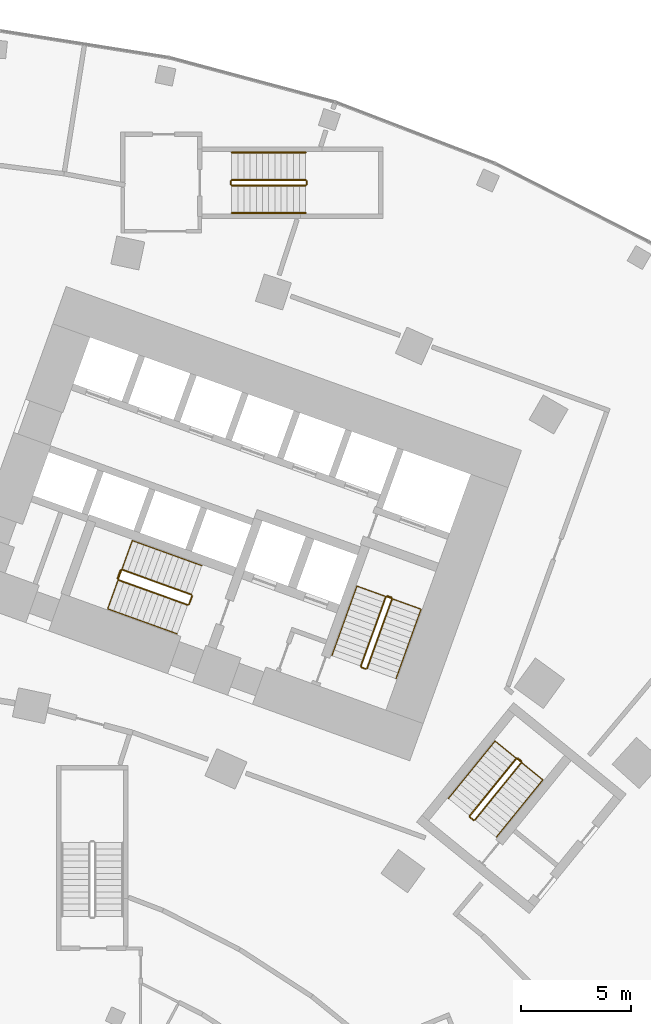
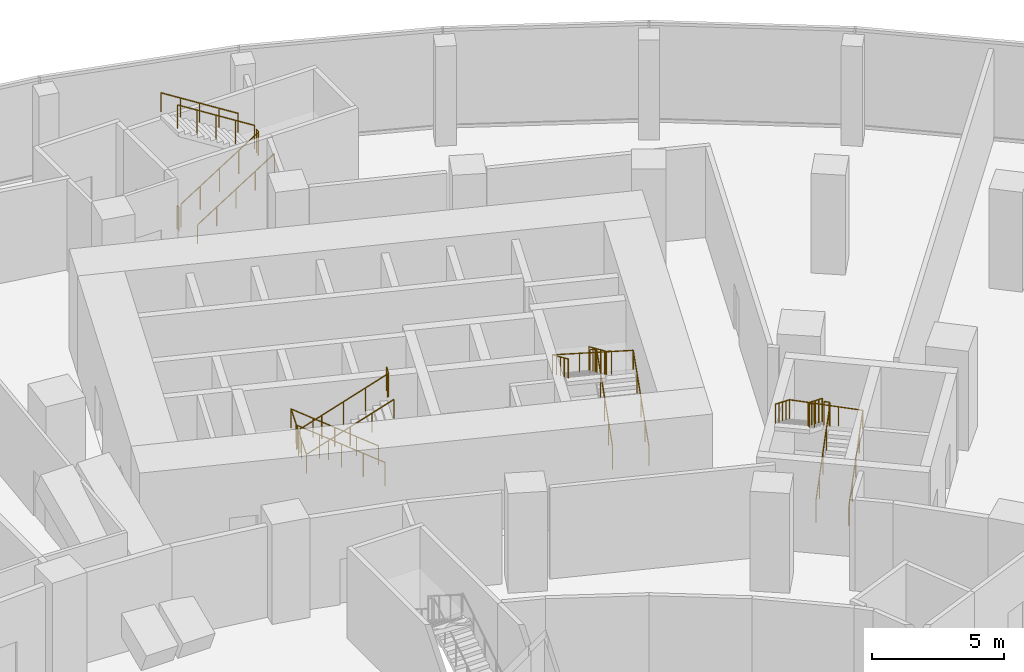
# One storey, part 38 of 40: 15 railings.
"""IFC4 building model written with IfcOpenShell, lengths in metres."""

from ifc_helpers import new_model, si_unit, direction, frame, origin, origin_2d, place, context, subcontext, project, spatial, circle, extrude, material, type_object, element, save


model = new_model("IFC4")

# Units and contexts
model_context = context("Model", 3, precision=1e-05, world=origin(), true_north=direction((0.0, 1.0)))
body_context = subcontext(model_context, "Body", "Model", "MODEL_VIEW")
ifc_project = project(units=[si_unit("LENGTHUNIT", "METRE"), si_unit("AREAUNIT", "SQUARE_METRE"), si_unit("VOLUMEUNIT", "CUBIC_METRE"), si_unit("PLANEANGLEUNIT", "RADIAN"), si_unit("MASSUNIT", "GRAM", prefix="KILO")], contexts=[model_context])

# Site, building, storey
site_placement = place(None, origin())
site = spatial("IfcSite", under=ifc_project, at=site_placement, CompositionType="ELEMENT")
building_placement = place(site_placement, origin())
building = spatial("IfcBuilding", under=site, at=building_placement, Name="Stone Belt Terrace Tower", CompositionType="ELEMENT")
storey_placement = place(building_placement, frame((0.0, 0.0, 7.0)))
storey = spatial("IfcBuildingStorey", under=building, at=storey_placement, Name="L01", CompositionType="ELEMENT", Elevation=7.0)

# Railings
ifc_material_1 = material(Name="Steel balustrade", Category="steel")
railing_type_1 = type_object("IfcRailingType", Name="Podium stair guard", PredefinedType="GUARDRAIL", material=ifc_material_1)
railing_1_placement = place(storey_placement, frame((18.340087890625, 67.125, 0.177001953125)))
element("IfcRailing", 1, at=railing_1_placement, inside=storey, type_object=railing_type_1, Name="L01 PS8 stair guard 1", PredefinedType="GUARDRAIL", context=body_context, shape_type="SweptSolid", body=[
    extrude(circle(Radius=0.02392578125, at=origin_2d()), frame((0.0, 0.0, 1.076171875), z_axis=(0.845372108799, 0.0, 0.534177870812), x_axis=(0.0, 1.0, 0.0)), (0.0, 0.0, 1.0), 3.974365234375),
    extrude(circle(Radius=0.02099609375, at=origin_2d()), origin(), (0.0, 0.0, 1.0), 1.052001953125),
    extrude(circle(Radius=0.02099609375, at=origin_2d()), frame((0.83984375, 0.0, 0.53076171875)), (0.0, 0.0, 1.0), 1.052001953125),
    extrude(circle(Radius=0.02099609375, at=origin_2d()), frame((1.679931640625, 0.0, 1.0615234375)), (0.0, 0.0, 1.0), 1.052001953125),
    extrude(circle(Radius=0.02099609375, at=origin_2d()), frame((2.52001953125, 0.0, 1.59228515625)), (0.0, 0.0, 1.0), 1.052001953125),
    extrude(circle(Radius=0.02099609375, at=origin_2d()), frame((3.35986328125, 0.0, 2.123046875)), (0.0, 0.0, 1.0), 1.052001953125),
])
railing_2_placement = place(storey_placement, frame((21.75, 67.175048828125, 2.300048828125)))
element("IfcRailing", 2, at=railing_2_placement, inside=storey, type_object=railing_type_1, Name="L01 PS8 stair guard 2", PredefinedType="GUARDRAIL", context=body_context, shape_type="SweptSolid", body=[
    extrude(circle(Radius=0.02392578125, at=origin_2d()), frame((0.0, 0.0, 1.076171875), z_axis=(0.0, 1.0, 0.0), x_axis=(-1.0, 0.0, 0.0)), (0.0, 0.0, 1.0), 0.14990234375),
    extrude(circle(Radius=0.02099609375, at=origin_2d()), origin(), (0.0, 0.0, 1.0), 1.052001953125),
    extrude(circle(Radius=0.02099609375, at=origin_2d()), frame((0.0, 0.14990234375, 0.0)), (0.0, 0.0, 1.0), 1.052001953125),
])
railing_3_placement = place(storey_placement, frame((21.699951171875, 67.375, 2.476806640625)))
element("IfcRailing", 3, at=railing_3_placement, inside=storey, type_object=railing_type_1, Name="L01 PS8 stair guard 3", PredefinedType="GUARDRAIL", context=body_context, shape_type="SweptSolid", body=[
    extrude(circle(Radius=0.02392578125, at=origin_2d()), frame((0.0, 0.0, 1.076171875), z_axis=(-0.845344368971, 0.0, 0.534221768416), x_axis=(0.0, -1.0, 0.0)), (0.0, 0.0, 1.0), 3.974609375),
    extrude(circle(Radius=0.02099609375, at=origin_2d()), origin(), (0.0, 0.0, 1.0), 1.052001953125),
    extrude(circle(Radius=0.02099609375, at=origin_2d()), frame((-0.83984375, 0.0, 0.53076171875)), (0.0, 0.0, 1.0), 1.052001953125),
    extrude(circle(Radius=0.02099609375, at=origin_2d()), frame((-1.679931640625, 0.0, 1.0615234375)), (0.0, 0.0, 1.0), 1.052001953125),
    extrude(circle(Radius=0.02099609375, at=origin_2d()), frame((-2.52001953125, 0.0, 1.592529296875)), (0.0, 0.0, 1.0), 1.052001953125),
    extrude(circle(Radius=0.02099609375, at=origin_2d()), frame((-3.35986328125, 0.0, 2.123291015625)), (0.0, 0.0, 1.0), 1.052001953125),
])
railing_4_placement = place(storey_placement, frame((18.2900390625, 67.175048828125, 0.0)))
element("IfcRailing", 4, at=railing_4_placement, inside=storey, type_object=railing_type_1, Name="L01 PS8 stair guard 4", PredefinedType="GUARDRAIL", context=body_context, shape_type="SweptSolid", body=[
    extrude(circle(Radius=0.02392578125, at=origin_2d()), frame((0.0, 0.0, 1.076171875), z_axis=(0.0, 1.0, 0.0), x_axis=(-1.0, 0.0, 0.0)), (0.0, 0.0, 1.0), 0.14990234375),
    extrude(circle(Radius=0.02099609375, at=origin_2d()), origin(), (0.0, 0.0, 1.0), 1.052001953125),
    extrude(circle(Radius=0.02099609375, at=origin_2d()), frame((0.0, 0.14990234375, 0.0)), (0.0, 0.0, 1.0), 1.052001953125),
])
ifc_material_2 = material(Name="Stainless steel handrail", Category="steel")
railing_type_2 = type_object("IfcRailingType", Name="Podium stair handrail", PredefinedType="HANDRAIL", material=ifc_material_2)
railing_5_placement = place(storey_placement, frame((18.340087890625, 65.875, 0.177001953125)))
element("IfcRailing", 5, at=railing_5_placement, inside=storey, type_object=railing_type_2, Name="L01 PS8 stair handrail 1", PredefinedType="HANDRAIL", context=body_context, shape_type="SweptSolid", body=[
    extrude(circle(Radius=0.02392578125, at=origin_2d()), frame((0.0, 0.0, 0.8759765625), z_axis=(0.845372108799, 0.0, 0.534177870812), x_axis=(0.0, 1.0, 0.0)), (0.0, 0.0, 1.0), 3.974365234375),
    extrude(circle(Radius=0.02099609375, at=origin_2d()), origin(), (0.0, 0.0, 1.0), 0.851806640625),
    extrude(circle(Radius=0.02099609375, at=origin_2d()), frame((0.83984375, 0.0, 0.53076171875)), (0.0, 0.0, 1.0), 0.851806640625),
    extrude(circle(Radius=0.02099609375, at=origin_2d()), frame((1.679931640625, 0.0, 1.0615234375)), (0.0, 0.0, 1.0), 0.851806640625),
    extrude(circle(Radius=0.02099609375, at=origin_2d()), frame((2.52001953125, 0.0, 1.59228515625)), (0.0, 0.0, 1.0), 0.851806640625),
    extrude(circle(Radius=0.02099609375, at=origin_2d()), frame((3.35986328125, 0.0, 2.123046875)), (0.0, 0.0, 1.0), 0.851806640625),
])
railing_6_placement = place(storey_placement, frame((21.699951171875, 68.625, 2.476806640625)))
element("IfcRailing", 6, at=railing_6_placement, inside=storey, type_object=railing_type_2, Name="L01 PS8 stair handrail 2", PredefinedType="HANDRAIL", context=body_context, shape_type="SweptSolid", body=[
    extrude(circle(Radius=0.02392578125, at=origin_2d()), frame((0.0, 0.0, 0.8759765625), z_axis=(-0.845344368971, 0.0, 0.534221768416), x_axis=(0.0, -1.0, 0.0)), (0.0, 0.0, 1.0), 3.974609375),
    extrude(circle(Radius=0.02099609375, at=origin_2d()), origin(), (0.0, 0.0, 1.0), 0.851806640625),
    extrude(circle(Radius=0.02099609375, at=origin_2d()), frame((-0.83984375, 0.0, 0.53076171875)), (0.0, 0.0, 1.0), 0.851806640625),
    extrude(circle(Radius=0.02099609375, at=origin_2d()), frame((-1.679931640625, 0.0, 1.0615234375)), (0.0, 0.0, 1.0), 0.851806640625),
    extrude(circle(Radius=0.02099609375, at=origin_2d()), frame((-2.52001953125, 0.0, 1.592529296875)), (0.0, 0.0, 1.0), 0.851806640625),
    extrude(circle(Radius=0.02099609375, at=origin_2d()), frame((-3.35986328125, 0.0, 2.123291015625)), (0.0, 0.0, 1.0), 0.851806640625),
])
ifc_material_3 = material(Name="Structural steel C345", Category="steel")
railing_type_3 = type_object("IfcRailingType", Name="Stair guard 1100", PredefinedType="GUARDRAIL", material=ifc_material_3)
railing_7_placement = place(storey_placement, frame((24.494140625, 45.174560546875, 0.177001953125)))
element("IfcRailing", 7, at=railing_7_placement, inside=storey, type_object=railing_type_3, Name="L01 ST1B stair guard 1", PredefinedType="GUARDRAIL", context=body_context, shape_type="SweptSolid", body=[
    extrude(circle(Radius=0.02392578125, at=origin_2d()), frame((0.0, 0.0, 1.076171875), z_axis=(0.286311103083, 0.795417823175, 0.534168923494), x_axis=(-0.940902231577, 0.338678299589, 0.0)), (0.0, 0.0, 1.0), 3.974365234375),
    extrude(circle(Radius=0.02392578125, at=origin_2d()), frame((1.137939453125, 3.161376953125, 3.19921875), z_axis=(-0.427789722475, 0.903878284585, 0.0), x_axis=(-0.903878284585, -0.427789722475, 0.0)), (0.0, 0.0, 1.0), 0.07080078125),
    extrude(circle(Radius=0.02392578125, at=origin_2d()), frame((1.107666015625, 3.225341796875, 3.19921875), z_axis=(-0.940575576748, 0.339584429008, 0.0), x_axis=(-0.339584429008, -0.940575576748, 0.0)), (0.0, 0.0, 1.0), 0.199951171875),
    extrude(circle(Radius=0.02099609375, at=origin_2d()), origin(), (0.0, 0.0, 1.0), 1.052001953125),
    extrude(circle(Radius=0.02099609375, at=origin_2d()), frame((0.284423828125, 0.790283203125, 0.53076171875)), (0.0, 0.0, 1.0), 1.052001953125),
    extrude(circle(Radius=0.02099609375, at=origin_2d()), frame((0.56884765625, 1.58056640625, 1.0615234375)), (0.0, 0.0, 1.0), 1.052001953125),
    extrude(circle(Radius=0.02099609375, at=origin_2d()), frame((0.853515625, 2.37109375, 1.59228515625)), (0.0, 0.0, 1.0), 1.052001953125),
    extrude(circle(Radius=0.02099609375, at=origin_2d()), frame((1.137939453125, 3.161376953125, 2.123046875)), (0.0, 0.0, 1.0), 1.052001953125),
    extrude(circle(Radius=0.02099609375, at=origin_2d()), frame((1.107666015625, 3.225341796875, 2.123046875)), (0.0, 0.0, 1.0), 1.052001953125),
    extrude(circle(Radius=0.02099609375, at=origin_2d()), frame((0.919677734375, 3.293212890625, 2.123046875)), (0.0, 0.0, 1.0), 1.052001953125),
])
railing_8_placement = place(storey_placement, frame((25.349853515625, 48.4375, 2.476806640625)))
element("IfcRailing", 8, at=railing_8_placement, inside=storey, type_object=railing_type_3, Name="L01 ST1B stair guard 2", PredefinedType="GUARDRAIL", context=body_context, shape_type="SweptSolid", body=[
    extrude(circle(Radius=0.02392578125, at=origin_2d()), frame((0.0, 0.0, 1.076171875), z_axis=(-0.286301708457, -0.795391723409, 0.53421282095), x_axis=(0.940902231577, -0.338678299589, 0.0)), (0.0, 0.0, 1.0), 3.974609375),
    extrude(circle(Radius=0.02392578125, at=origin_2d()), frame((-1.137939453125, -3.161376953125, 3.19921875), z_axis=(0.427789722475, -0.903878284585, 0.0), x_axis=(0.903878284585, 0.427789722475, 0.0)), (0.0, 0.0, 1.0), 0.07080078125),
    extrude(circle(Radius=0.02392578125, at=origin_2d()), frame((-1.107666015625, -3.225341796875, 3.19921875), z_axis=(0.940575576748, -0.339584429008, 0.0), x_axis=(0.339584429008, 0.940575576748, 0.0)), (0.0, 0.0, 1.0), 0.199951171875),
    extrude(circle(Radius=0.02099609375, at=origin_2d()), origin(), (0.0, 0.0, 1.0), 1.052001953125),
    extrude(circle(Radius=0.02099609375, at=origin_2d()), frame((-0.284423828125, -0.790283203125, 0.53076171875)), (0.0, 0.0, 1.0), 1.052001953125),
    extrude(circle(Radius=0.02099609375, at=origin_2d()), frame((-0.56884765625, -1.58056640625, 1.0615234375)), (0.0, 0.0, 1.0), 1.052001953125),
    extrude(circle(Radius=0.02099609375, at=origin_2d()), frame((-0.853515625, -2.37109375, 1.592529296875)), (0.0, 0.0, 1.0), 1.052001953125),
    extrude(circle(Radius=0.02099609375, at=origin_2d()), frame((-1.137939453125, -3.161376953125, 2.123291015625)), (0.0, 0.0, 1.0), 1.052001953125),
    extrude(circle(Radius=0.02099609375, at=origin_2d()), frame((-1.107666015625, -3.225341796875, 2.123291015625)), (0.0, 0.0, 1.0), 1.052001953125),
    extrude(circle(Radius=0.02099609375, at=origin_2d()), frame((-0.919677734375, -3.293212890625, 2.123291015625)), (0.0, 0.0, 1.0), 1.052001953125),
])
railing_9_placement = place(storey_placement, frame((16.507568359375, 48.527099609375, 0.177001953125)))
element("IfcRailing", 9, at=railing_9_placement, inside=storey, type_object=railing_type_3, Name="L01 ST2B stair guard 1", PredefinedType="GUARDRAIL", context=body_context, shape_type="SweptSolid", body=[
    extrude(circle(Radius=0.02392578125, at=origin_2d()), frame((0.0, 0.0, 1.076171875), z_axis=(-0.795431811234, 0.286254710043, 0.534178317283), x_axis=(-0.338613969627, -0.9409253847, 0.0)), (0.0, 0.0, 1.0), 3.974365234375),
    extrude(circle(Radius=0.02392578125, at=origin_2d()), frame((-3.161376953125, 1.1376953125, 3.19921875), z_axis=(-0.905209821074, -0.424964916, 0.0), x_axis=(0.424964916, -0.905209821074, 0.0)), (0.0, 0.0, 1.0), 0.070556640625),
    extrude(circle(Radius=0.02392578125, at=origin_2d()), frame((-3.225341796875, 1.107666015625, 3.19921875), z_axis=(-0.338654645739, -0.940910745459, 0.0), x_axis=(0.940910745459, -0.338654645739, 0.0)), (0.0, 0.0, 1.0), 0.400146484375),
    extrude(circle(Radius=0.02099609375, at=origin_2d()), origin(), (0.0, 0.0, 1.0), 1.052001953125),
    extrude(circle(Radius=0.02099609375, at=origin_2d()), frame((-0.790283203125, 0.284423828125, 0.53076171875)), (0.0, 0.0, 1.0), 1.052001953125),
    extrude(circle(Radius=0.02099609375, at=origin_2d()), frame((-1.58056640625, 0.56884765625, 1.0615234375)), (0.0, 0.0, 1.0), 1.052001953125),
    extrude(circle(Radius=0.02099609375, at=origin_2d()), frame((-2.37109375, 0.853271484375, 1.59228515625)), (0.0, 0.0, 1.0), 1.052001953125),
    extrude(circle(Radius=0.02099609375, at=origin_2d()), frame((-3.161376953125, 1.1376953125, 2.123046875)), (0.0, 0.0, 1.0), 1.052001953125),
    extrude(circle(Radius=0.02099609375, at=origin_2d()), frame((-3.225341796875, 1.107666015625, 2.123046875)), (0.0, 0.0, 1.0), 1.052001953125),
    extrude(circle(Radius=0.02099609375, at=origin_2d()), frame((-3.36083984375, 0.731201171875, 2.123046875)), (0.0, 0.0, 1.0), 1.052001953125),
])
railing_10_placement = place(storey_placement, frame((13.1767578125, 49.1943359375, 2.476806640625)))
element("IfcRailing", 10, at=railing_10_placement, inside=storey, type_object=railing_type_3, Name="L01 ST2B stair guard 2", PredefinedType="GUARDRAIL", context=body_context, shape_type="SweptSolid", body=[
    extrude(circle(Radius=0.02392578125, at=origin_2d()), frame((0.0, 0.0, 1.076171875), z_axis=(0.795428272047, -0.286231331872, 0.53419611444), x_axis=(0.338590819614, 0.940933715451, 0.0)), (0.0, 0.0, 1.0), 3.974853515625),
    extrude(circle(Radius=0.02392578125, at=origin_2d()), frame((3.16162109375, -1.1376953125, 3.19921875), z_axis=(0.905209821074, 0.424964916, 0.0), x_axis=(-0.424964916, 0.905209821074, 0.0)), (0.0, 0.0, 1.0), 0.070556640625),
    extrude(circle(Radius=0.02392578125, at=origin_2d()), frame((3.2255859375, -1.107666015625, 3.19921875), z_axis=(0.338654645739, 0.940910745459, 0.0), x_axis=(-0.940910745459, 0.338654645739, 0.0)), (0.0, 0.0, 1.0), 0.400146484375),
    extrude(circle(Radius=0.02099609375, at=origin_2d()), origin(), (0.0, 0.0, 1.0), 1.052001953125),
    extrude(circle(Radius=0.02099609375, at=origin_2d()), frame((0.79052734375, -0.284423828125, 0.53076171875)), (0.0, 0.0, 1.0), 1.052001953125),
    extrude(circle(Radius=0.02099609375, at=origin_2d()), frame((1.580810546875, -0.56884765625, 1.0615234375)), (0.0, 0.0, 1.0), 1.052001953125),
    extrude(circle(Radius=0.02099609375, at=origin_2d()), frame((2.37109375, -0.853271484375, 1.592529296875)), (0.0, 0.0, 1.0), 1.052001953125),
    extrude(circle(Radius=0.02099609375, at=origin_2d()), frame((3.16162109375, -1.1376953125, 2.123291015625)), (0.0, 0.0, 1.0), 1.052001953125),
    extrude(circle(Radius=0.02099609375, at=origin_2d()), frame((3.2255859375, -1.107666015625, 2.123291015625)), (0.0, 0.0, 1.0), 1.052001953125),
    extrude(circle(Radius=0.02099609375, at=origin_2d()), frame((3.361083984375, -0.731201171875, 2.123291015625)), (0.0, 0.0, 1.0), 1.052001953125),
])
railing_11_placement = place(storey_placement, frame((29.39794921875, 38.281982421875, 0.177001953125)))
element("IfcRailing", 11, at=railing_11_placement, inside=storey, type_object=railing_type_3, Name="L01 ST3B stair guard 1", PredefinedType="GUARDRAIL", context=body_context, shape_type="SweptSolid", body=[
    extrude(circle(Radius=0.02392578125, at=origin_2d()), frame((0.0, 0.0, 1.076171875), z_axis=(0.532811519988, 0.656339761479, 0.534162898065), x_axis=(-0.776382860746, 0.63026157549, 0.0)), (0.0, 0.0, 1.0), 3.974609375),
    extrude(circle(Radius=0.02392578125, at=origin_2d()), frame((2.11767578125, 2.608642578125, 3.19921875), z_axis=(-0.103606084259, 0.994618408891, 0.0), x_axis=(-0.994618408891, -0.103606084259, 0.0)), (0.0, 0.0, 1.0), 0.07080078125),
    extrude(circle(Radius=0.02392578125, at=origin_2d()), frame((2.1103515625, 2.678955078125, 3.19921875), z_axis=(-0.775964699182, 0.630776335656, 0.0), x_axis=(-0.630776335656, -0.775964699182, 0.0)), (0.0, 0.0, 1.0), 0.2001953125),
    extrude(circle(Radius=0.02099609375, at=origin_2d()), origin(), (0.0, 0.0, 1.0), 1.052001953125),
    extrude(circle(Radius=0.02099609375, at=origin_2d()), frame((0.529296875, 0.652099609375, 0.53076171875)), (0.0, 0.0, 1.0), 1.052001953125),
    extrude(circle(Radius=0.02099609375, at=origin_2d()), frame((1.058837890625, 1.30419921875, 1.0615234375)), (0.0, 0.0, 1.0), 1.052001953125),
    extrude(circle(Radius=0.02099609375, at=origin_2d()), frame((1.58837890625, 1.95654296875, 1.59228515625)), (0.0, 0.0, 1.0), 1.052001953125),
    extrude(circle(Radius=0.02099609375, at=origin_2d()), frame((2.11767578125, 2.608642578125, 2.123046875)), (0.0, 0.0, 1.0), 1.052001953125),
    extrude(circle(Radius=0.02099609375, at=origin_2d()), frame((2.1103515625, 2.678955078125, 2.123046875)), (0.0, 0.0, 1.0), 1.052001953125),
    extrude(circle(Radius=0.02099609375, at=origin_2d()), frame((1.955078125, 2.80517578125, 2.123046875)), (0.0, 0.0, 1.0), 1.052001953125),
])
railing_12_placement = place(storey_placement, frame((31.28271484375, 41.079833984375, 2.476806640625)))
element("IfcRailing", 12, at=railing_12_placement, inside=storey, type_object=railing_type_3, Name="L01 ST3B stair guard 2", PredefinedType="GUARDRAIL", context=body_context, shape_type="SweptSolid", body=[
    extrude(circle(Radius=0.02392578125, at=origin_2d()), frame((0.0, 0.0, 1.076171875), z_axis=(-0.532772558733, -0.656353189143, 0.534185259777), x_axis=(0.776411721411, -0.63022602204, 0.0)), (0.0, 0.0, 1.0), 3.974853515625),
    extrude(circle(Radius=0.02392578125, at=origin_2d()), frame((-2.11767578125, -2.60888671875, 3.19921875), z_axis=(0.103606084259, -0.994618408891, 0.0), x_axis=(0.994618408891, 0.103606084259, 0.0)), (0.0, 0.0, 1.0), 0.07080078125),
    extrude(circle(Radius=0.02392578125, at=origin_2d()), frame((-2.1103515625, -2.67919921875, 3.19921875), z_axis=(0.776561986372, -0.630040856868, 0.0), x_axis=(0.630040856868, 0.776561986372, 0.0)), (0.0, 0.0, 1.0), 0.199951171875),
    extrude(circle(Radius=0.02099609375, at=origin_2d()), origin(), (0.0, 0.0, 1.0), 1.052001953125),
    extrude(circle(Radius=0.02099609375, at=origin_2d()), frame((-0.529296875, -0.65234375, 0.53076171875)), (0.0, 0.0, 1.0), 1.052001953125),
    extrude(circle(Radius=0.02099609375, at=origin_2d()), frame((-1.058837890625, -1.304443359375, 1.0615234375)), (0.0, 0.0, 1.0), 1.052001953125),
    extrude(circle(Radius=0.02099609375, at=origin_2d()), frame((-1.58837890625, -1.95654296875, 1.592529296875)), (0.0, 0.0, 1.0), 1.052001953125),
    extrude(circle(Radius=0.02099609375, at=origin_2d()), frame((-2.11767578125, -2.60888671875, 2.123291015625)), (0.0, 0.0, 1.0), 1.052001953125),
    extrude(circle(Radius=0.02099609375, at=origin_2d()), frame((-2.1103515625, -2.67919921875, 2.123291015625)), (0.0, 0.0, 1.0), 1.052001953125),
    extrude(circle(Radius=0.02099609375, at=origin_2d()), frame((-1.955078125, -2.80517578125, 2.123291015625)), (0.0, 0.0, 1.0), 1.052001953125),
])
railing_type_4 = type_object("IfcRailingType", Name="Stair handrail 900", PredefinedType="HANDRAIL", material=ifc_material_3)
railing_13_placement = place(storey_placement, frame((25.8115234375, 44.700439453125, 0.177001953125)))
element("IfcRailing", 13, at=railing_13_placement, inside=storey, type_object=railing_type_4, Name="L01 ST1B stair handrail 1", PredefinedType="HANDRAIL", context=body_context, shape_type="SweptSolid", body=[
    extrude(circle(Radius=0.02392578125, at=origin_2d()), frame((0.0, 0.0, 0.8759765625), z_axis=(0.286254710043, 0.795431811234, 0.534178317283), x_axis=(-0.9409253847, 0.338613969627, 0.0)), (0.0, 0.0, 1.0), 3.974365234375),
    extrude(circle(Radius=0.02392578125, at=origin_2d()), frame((1.1376953125, 3.161376953125, 2.9990234375), z_axis=(-0.939384633507, 0.338106129077, 0.056927636617), x_axis=(-0.338655323994, -0.940910501339, 0.0)), (0.0, 0.0, 1.0), 3.10498046875),
    extrude(circle(Radius=0.02392578125, at=origin_2d()), frame((-1.779052734375, 4.211181640625, 3.17578125), z_axis=(-0.286245316937, -0.795405710091, 0.534222214894), x_axis=(0.9409253847, -0.338613969627, 0.0)), (0.0, 0.0, 1.0), 3.974609375),
    extrude(circle(Radius=0.02099609375, at=origin_2d()), origin(), (0.0, 0.0, 1.0), 0.851806640625),
    extrude(circle(Radius=0.02099609375, at=origin_2d()), frame((0.284423828125, 0.790283203125, 0.53076171875)), (0.0, 0.0, 1.0), 0.851806640625),
    extrude(circle(Radius=0.02099609375, at=origin_2d()), frame((0.56884765625, 1.58056640625, 1.0615234375)), (0.0, 0.0, 1.0), 0.851806640625),
    extrude(circle(Radius=0.02099609375, at=origin_2d()), frame((0.853271484375, 2.37109375, 1.59228515625)), (0.0, 0.0, 1.0), 0.851806640625),
    extrude(circle(Radius=0.02099609375, at=origin_2d()), frame((1.1376953125, 3.161376953125, 2.123046875)), (0.0, 0.0, 1.0), 0.851806640625),
    extrude(circle(Radius=0.02099609375, at=origin_2d()), frame((0.16552734375, 3.51123046875, 2.181884765625)), (0.0, 0.0, 1.0), 0.851806640625),
    extrude(circle(Radius=0.02099609375, at=origin_2d()), frame((-0.806884765625, 3.861328125, 2.240966796875)), (0.0, 0.0, 1.0), 0.851806640625),
    extrude(circle(Radius=0.02099609375, at=origin_2d()), frame((-1.779052734375, 4.211181640625, 2.2998046875)), (0.0, 0.0, 1.0), 0.851806640625),
    extrude(circle(Radius=0.02099609375, at=origin_2d()), frame((-2.0634765625, 3.4208984375, 2.83056640625)), (0.0, 0.0, 1.0), 0.851806640625),
    extrude(circle(Radius=0.02099609375, at=origin_2d()), frame((-2.347900390625, 2.63037109375, 3.361328125)), (0.0, 0.0, 1.0), 0.851806640625),
    extrude(circle(Radius=0.02099609375, at=origin_2d()), frame((-2.63232421875, 1.840087890625, 3.892333984375)), (0.0, 0.0, 1.0), 0.851806640625),
    extrude(circle(Radius=0.02099609375, at=origin_2d()), frame((-2.916748046875, 1.0498046875, 4.423095703125)), (0.0, 0.0, 1.0), 0.851806640625),
])
railing_14_placement = place(storey_placement, frame((16.981689453125, 49.84423828125, 0.177001953125)))
element("IfcRailing", 14, at=railing_14_placement, inside=storey, type_object=railing_type_4, Name="L01 ST2B stair handrail 1", PredefinedType="HANDRAIL", context=body_context, shape_type="SweptSolid", body=[
    extrude(circle(Radius=0.02392578125, at=origin_2d()), frame((0.0, 0.0, 0.8759765625), z_axis=(-0.795417823175, 0.286311103083, 0.534168923494), x_axis=(-0.338678299589, -0.940902231577, 0.0)), (0.0, 0.0, 1.0), 3.974365234375),
    extrude(circle(Radius=0.02392578125, at=origin_2d()), frame((-3.161376953125, 1.137939453125, 2.9990234375), z_axis=(-0.338114333932, -0.93958405359, 0.053483674408), x_axis=(0.940930785231, -0.338598962497, 0.0)), (0.0, 0.0, 1.0), 3.304931640625),
    extrude(circle(Radius=0.02392578125, at=origin_2d()), frame((-4.27880859375, -1.96728515625, 3.17578125), z_axis=(0.795405710091, -0.286245316937, 0.534222214894), x_axis=(0.338613969627, 0.9409253847, 0.0)), (0.0, 0.0, 1.0), 3.974609375),
    extrude(circle(Radius=0.02099609375, at=origin_2d()), origin(), (0.0, 0.0, 1.0), 0.851806640625),
    extrude(circle(Radius=0.02099609375, at=origin_2d()), frame((-0.790283203125, 0.284423828125, 0.53076171875)), (0.0, 0.0, 1.0), 0.851806640625),
    extrude(circle(Radius=0.02099609375, at=origin_2d()), frame((-1.58056640625, 0.56884765625, 1.0615234375)), (0.0, 0.0, 1.0), 0.851806640625),
    extrude(circle(Radius=0.02099609375, at=origin_2d()), frame((-2.37109375, 0.853515625, 1.59228515625)), (0.0, 0.0, 1.0), 0.851806640625),
    extrude(circle(Radius=0.02099609375, at=origin_2d()), frame((-3.161376953125, 1.137939453125, 2.123046875)), (0.0, 0.0, 1.0), 0.851806640625),
    extrude(circle(Radius=0.02099609375, at=origin_2d()), frame((-3.533935546875, 0.102783203125, 2.181884765625)), (0.0, 0.0, 1.0), 0.851806640625),
    extrude(circle(Radius=0.02099609375, at=origin_2d()), frame((-3.90625, -0.93212890625, 2.240966796875)), (0.0, 0.0, 1.0), 0.851806640625),
    extrude(circle(Radius=0.02099609375, at=origin_2d()), frame((-4.27880859375, -1.96728515625, 2.2998046875)), (0.0, 0.0, 1.0), 0.851806640625),
    extrude(circle(Radius=0.02099609375, at=origin_2d()), frame((-3.488525390625, -2.251708984375, 2.83056640625)), (0.0, 0.0, 1.0), 0.851806640625),
    extrude(circle(Radius=0.02099609375, at=origin_2d()), frame((-2.6982421875, -2.5361328125, 3.361328125)), (0.0, 0.0, 1.0), 0.851806640625),
    extrude(circle(Radius=0.02099609375, at=origin_2d()), frame((-1.90771484375, -2.820556640625, 3.892333984375)), (0.0, 0.0, 1.0), 0.851806640625),
    extrude(circle(Radius=0.02099609375, at=origin_2d()), frame((-1.117431640625, -3.10498046875, 4.423095703125)), (0.0, 0.0, 1.0), 0.851806640625),
])
railing_15_placement = place(storey_placement, frame((30.36865234375, 37.494140625, 0.177001953125)))
element("IfcRailing", 15, at=railing_15_placement, inside=storey, type_object=railing_type_4, Name="L01 ST3B stair handrail 1", PredefinedType="HANDRAIL", context=body_context, shape_type="SweptSolid", body=[
    extrude(circle(Radius=0.02392578125, at=origin_2d()), frame((0.0, 0.0, 0.8759765625), z_axis=(0.532746049304, 0.656396204642, 0.534158842932), x_axis=(-0.776447273909, 0.630182220345, 0.0)), (0.0, 0.0, 1.0), 3.974609375),
    extrude(circle(Radius=0.02392578125, at=origin_2d()), frame((2.117431640625, 2.60888671875, 2.9990234375), z_axis=(-0.77492599887, 0.628904008291, 0.063003528712), x_axis=(-0.630155936441, -0.776468605784, 0.0)), (0.0, 0.0, 1.0), 2.805419921875),
    extrude(circle(Radius=0.02392578125, at=origin_2d()), frame((-0.056640625, 4.373291015625, 3.17578125), z_axis=(-0.532750047478, -0.65633970452, 0.534224277979), x_axis=(0.776418415934, -0.630217774581, 0.0)), (0.0, 0.0, 1.0), 3.974609375),
    extrude(circle(Radius=0.02099609375, at=origin_2d()), origin(), (0.0, 0.0, 1.0), 0.851806640625),
    extrude(circle(Radius=0.02099609375, at=origin_2d()), frame((0.529296875, 0.65234375, 0.53076171875)), (0.0, 0.0, 1.0), 0.851806640625),
    extrude(circle(Radius=0.02099609375, at=origin_2d()), frame((1.05859375, 1.304443359375, 1.0615234375)), (0.0, 0.0, 1.0), 0.851806640625),
    extrude(circle(Radius=0.02099609375, at=origin_2d()), frame((1.588134765625, 1.95654296875, 1.59228515625)), (0.0, 0.0, 1.0), 0.851806640625),
    extrude(circle(Radius=0.02099609375, at=origin_2d()), frame((2.117431640625, 2.60888671875, 2.123046875)), (0.0, 0.0, 1.0), 0.851806640625),
    extrude(circle(Radius=0.02099609375, at=origin_2d()), frame((1.392822265625, 3.197021484375, 2.181884765625)), (0.0, 0.0, 1.0), 0.851806640625),
    extrude(circle(Radius=0.02099609375, at=origin_2d()), frame((0.66796875, 3.78515625, 2.240966796875)), (0.0, 0.0, 1.0), 0.851806640625),
    extrude(circle(Radius=0.02099609375, at=origin_2d()), frame((-0.056640625, 4.373291015625, 2.2998046875)), (0.0, 0.0, 1.0), 0.851806640625),
    extrude(circle(Radius=0.02099609375, at=origin_2d()), frame((-0.5859375, 3.72119140625, 2.83056640625)), (0.0, 0.0, 1.0), 0.851806640625),
    extrude(circle(Radius=0.02099609375, at=origin_2d()), frame((-1.115234375, 3.06884765625, 3.361328125)), (0.0, 0.0, 1.0), 0.851806640625),
    extrude(circle(Radius=0.02099609375, at=origin_2d()), frame((-1.644775390625, 2.416748046875, 3.892333984375)), (0.0, 0.0, 1.0), 0.851806640625),
    extrude(circle(Radius=0.02099609375, at=origin_2d()), frame((-2.174072265625, 1.7646484375, 4.423095703125)), (0.0, 0.0, 1.0), 0.851806640625),
])

save(model, "model.ifc")
